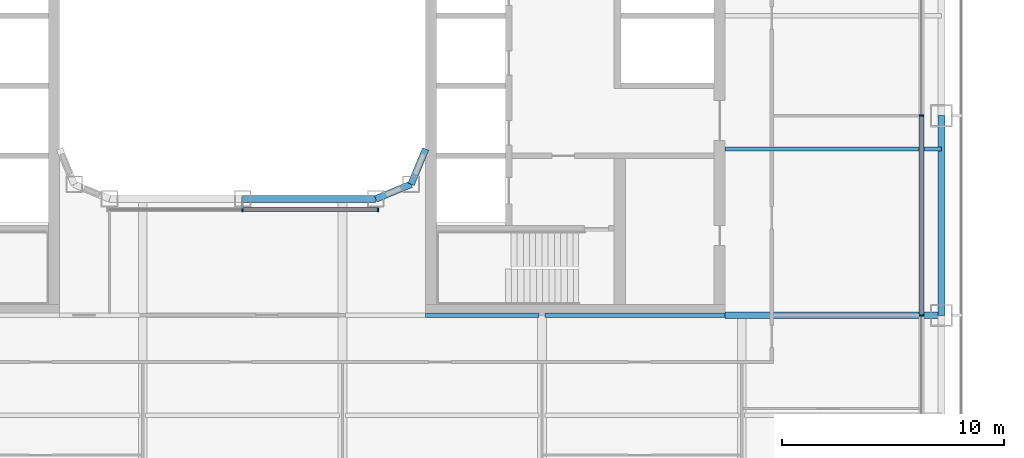
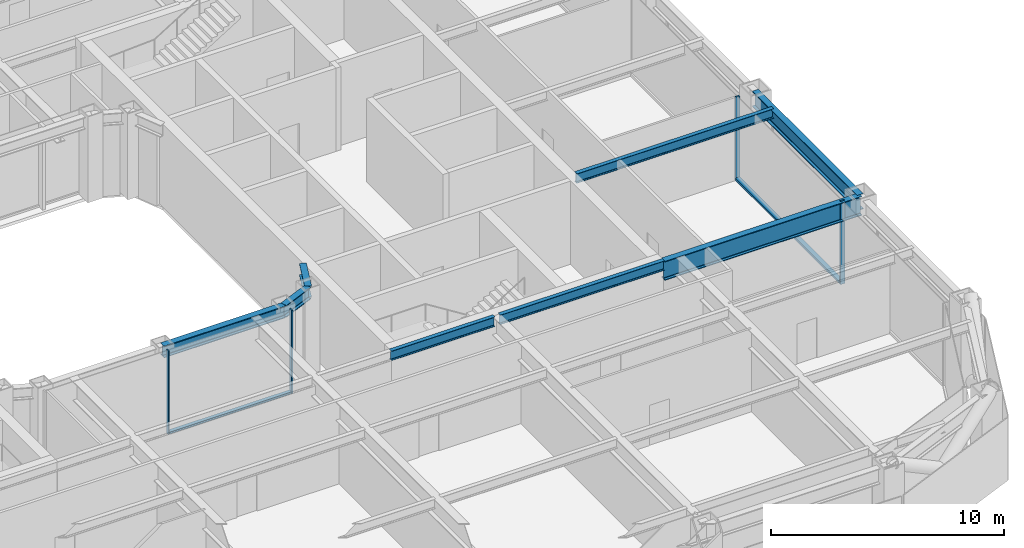
# One storey, part 5 of 30: 8 beams, 6 members, 2 elements without a shape of their own.
"""IFC4 building model written with IfcOpenShell, lengths in metres."""

from ifc_helpers import new_model, si_unit, direction, frame, origin, origin_2d, place, context, subcontext, project, spatial, rectangle, i_section, extrude, material, layer, layer_set, material_profile, profile_set, type_object, element, aggregate, save


model = new_model("IFC4")

# Units and contexts
model_context = context("Model", 3, precision=1e-05, world=origin(), true_north=direction((0.0, 1.0)))
body_context = subcontext(model_context, "Body", "Model", "MODEL_VIEW")
ifc_project = project(units=[si_unit("LENGTHUNIT", "METRE"), si_unit("AREAUNIT", "SQUARE_METRE"), si_unit("VOLUMEUNIT", "CUBIC_METRE"), si_unit("PLANEANGLEUNIT", "RADIAN"), si_unit("MASSUNIT", "GRAM", prefix="KILO")], contexts=[model_context])

# Site, building, storey
site_placement = place(None, origin())
site = spatial("IfcSite", under=ifc_project, at=site_placement, CompositionType="ELEMENT")
building_placement = place(site_placement, origin())
building = spatial("IfcBuilding", under=site, at=building_placement, Name="Siwar Civic Tower", CompositionType="ELEMENT")
storey_placement = place(building_placement, frame((0.0, 0.0, 62.699951171875)))
storey = spatial("IfcBuildingStorey", under=building, at=storey_placement, Name="L13", CompositionType="ELEMENT", Elevation=62.699951171875)

# Curtain wall, members
ifc_material_1 = material(Name="Aluminium and glass", Category="aluminium")
ifc_layer_1 = layer(ifc_material_1, 0.219970703125)
ifc_layer_set_1 = layer_set([ifc_layer_1], Name="Aluminium and glass")
curtain_wall_type_1 = type_object("IfcCurtainWallType", Name="ENV-CW-A", PredefinedType="NOTDEFINED", material=ifc_layer_set_1)
curtain_wall_1_placement = place(storey_placement, origin())
curtain_wall_1 = element("IfcCurtainWall", 1, at=curtain_wall_1_placement, inside=storey, type_object=curtain_wall_type_1, Name="Curtain wall A E", PredefinedType="NOTDEFINED")
ifc_material_2 = material(Name="Aluminium 6063-T6", Category="aluminium")
ifc_material_profile_1 = material_profile(ifc_material_2, rectangle(XDim=0.219970703125, YDim=0.070068359375, at=origin_2d()), Name="AL 220x70")
ifc_profile_set_1 = profile_set([ifc_material_profile_1], Name="Aluminium 6063-T6")
member_type_1 = type_object("IfcMemberType", Name="ENV-MULLION-A", PredefinedType="MULLION", material=ifc_profile_set_1)
member_1_placement = place(storey_placement, frame((30.60009765625, -13.5, 0.0), z_axis=(0.0, 0.0, 1.0), x_axis=(-1.0, 0.0, 0.0)))
member_1 = element("IfcMember", 2, at=member_1_placement, type_object=member_type_1, Name="Mullion A E 2", PredefinedType="MULLION", context=body_context, shape_type="SweptSolid", body=[
    extrude(rectangle(XDim=0.219970703125, YDim=0.070068359375, at=origin_2d()), origin(), (0.0, 0.0, 1.0), 4.35009765625),
])
member_2_placement = place(storey_placement, frame((30.60009765625, -4.5, 0.0), z_axis=(0.0, 0.0, 1.0), x_axis=(-1.0, 0.0, 0.0)))
member_2 = element("IfcMember", 3, at=member_2_placement, type_object=member_type_1, Name="Mullion A E 3", PredefinedType="MULLION", context=body_context, shape_type="SweptSolid", body=[
    extrude(rectangle(XDim=0.219970703125, YDim=0.070068359375, at=origin_2d()), origin(), (0.0, 0.0, 1.0), 4.35009765625),
])

ifc_material_3 = material(Name="Aluminium and glass", Category="aluminium")
ifc_layer_2 = layer(ifc_material_3, 0.179931640625)
ifc_layer_set_2 = layer_set([ifc_layer_2], Name="Aluminium and glass")
curtain_wall_type_2 = type_object("IfcCurtainWallType", Name="ENV-CW-W", PredefinedType="NOTDEFINED", material=ifc_layer_set_2)
curtain_wall_2_placement = place(storey_placement, origin())
curtain_wall_2 = element("IfcCurtainWall", 4, at=curtain_wall_2_placement, inside=storey, type_object=curtain_wall_type_2, Name="Curtain wall W WS", PredefinedType="NOTDEFINED")
ifc_material_4 = material(Name="Aluminium 6063-T6", Category="aluminium")
ifc_material_profile_2 = material_profile(ifc_material_4, rectangle(XDim=0.179931640625, YDim=0.06005859375, at=origin_2d()), Name="AL 180x60")
ifc_profile_set_2 = profile_set([ifc_material_profile_2], Name="Aluminium 6063-T6")
member_type_2 = type_object("IfcMemberType", Name="ENV-MULLION-W", PredefinedType="MULLION", material=ifc_profile_set_2)
member_3_placement = place(storey_placement, frame((0.0, -8.735107421875, 0.0), z_axis=(0.0, 0.0, 1.0), x_axis=(0.0, 1.0, 0.0)))
member_3 = element("IfcMember", 5, at=member_3_placement, type_object=member_type_2, Name="Mullion W WS 2", PredefinedType="MULLION", context=body_context, shape_type="SweptSolid", body=[
    extrude(rectangle(XDim=0.179931640625, YDim=0.06005859375, at=origin_2d()), origin(), (0.0, 0.0, 1.0), 4.35009765625),
])
member_4_placement = place(storey_placement, frame((6.096435546875, -8.735107421875, 0.0), z_axis=(0.0, 0.0, 1.0), x_axis=(0.0, 1.0, 0.0)))
member_4 = element("IfcMember", 6, at=member_4_placement, type_object=member_type_2, Name="Mullion W WS 3", PredefinedType="MULLION", context=body_context, shape_type="SweptSolid", body=[
    extrude(rectangle(XDim=0.179931640625, YDim=0.06005859375, at=origin_2d()), origin(), (0.0, 0.0, 1.0), 4.35009765625),
])

# Member
ifc_material_5 = material(Name="Aluminium 6063-T6", Category="aluminium")
ifc_material_profile_3 = material_profile(ifc_material_5, rectangle(XDim=0.219970703125, YDim=0.1201171875, at=origin_2d()), Name="AL 220x120")
ifc_profile_set_3 = profile_set([ifc_material_profile_3], Name="Aluminium 6063-T6")
member_type_3 = type_object("IfcMemberType", Name="ENV-TRANSOM-A", PredefinedType="USERDEFINED", material=ifc_profile_set_3)
member_5_placement = place(storey_placement, frame((30.60009765625, -13.465087890625, 0.06005859375), z_axis=(0.0, 1.0, 0.0), x_axis=(-1.0, 0.0, 0.0)))
member_5 = element("IfcMember", 7, at=member_5_placement, type_object=member_type_3, Name="Transom A E 2", ObjectType="TRANSOM", PredefinedType="USERDEFINED", context=body_context, shape_type="SweptSolid", body=[
    extrude(rectangle(XDim=0.219970703125, YDim=0.1201171875, at=origin_2d()), origin(), (0.0, 0.0, 1.0), 8.93017578125),
])

aggregate(curtain_wall_1, [member_1, member_2, member_5])

ifc_material_6 = material(Name="Aluminium 6063-T6", Category="aluminium")
ifc_material_profile_4 = material_profile(ifc_material_6, rectangle(XDim=0.179931640625, YDim=0.10009765625, at=origin_2d()), Name="AL 180x100")
ifc_profile_set_4 = profile_set([ifc_material_profile_4], Name="Aluminium 6063-T6")
member_type_4 = type_object("IfcMemberType", Name="ENV-TRANSOM-W", PredefinedType="USERDEFINED", material=ifc_profile_set_4)
member_6_placement = place(storey_placement, frame((0.030029296875, -8.735107421875, 0.050048828125), z_axis=(1.0, 0.0, 0.0), x_axis=(0.0, 1.0, 0.0)))
member_6 = element("IfcMember", 8, at=member_6_placement, type_object=member_type_4, Name="Transom W WS 2", ObjectType="TRANSOM", PredefinedType="USERDEFINED", context=body_context, shape_type="SweptSolid", body=[
    extrude(rectangle(XDim=0.179931640625, YDim=0.10009765625, at=origin_2d()), origin(), (0.0, 0.0, 1.0), 6.036376953125),
])

aggregate(curtain_wall_2, [member_3, member_4, member_6])

# Beams
ifc_material_7 = material(Name="Steel S355", Category="steel")
ifc_material_profile_5 = material_profile(ifc_material_7, i_section(OverallWidth=0.199951171875, OverallDepth=0.5, WebThickness=0.01025390625, FlangeThickness=0.01611328125, FilletRadius=0.02099609375, at=origin_2d()), Name="IPE500")
ifc_profile_set_5 = profile_set([ifc_material_profile_5], Name="Steel S355")
beam_type_1 = type_object("IfcBeamType", Name="STR-FB-IPE500", PredefinedType="JOIST", material=ifc_profile_set_5)
beam_1_placement = place(storey_placement, frame((8.25, -13.5, 4.10009765625), z_axis=(1.0, 0.0, 0.0), x_axis=(0.0, 1.0, 0.0)))
element("IfcBeam", 9, at=beam_1_placement, inside=storey, type_object=beam_type_1, Name="L13/bm/F028", PredefinedType="JOIST", context=body_context, shape_type="SweptSolid", body=[
    extrude(i_section(OverallWidth=0.199951171875, OverallDepth=0.5, WebThickness=0.01025390625, FlangeThickness=0.01611328125, FilletRadius=0.02099609375, at=origin_2d()), origin(), (0.0, 0.0, 1.0), 5.1201171875),
])
beam_2_placement = place(storey_placement, frame((13.6298828125, -13.5, 4.10009765625), z_axis=(1.0, 0.0, 0.0), x_axis=(0.0, 1.0, 0.0)))
element("IfcBeam", 10, at=beam_2_placement, inside=storey, type_object=beam_type_1, Name="L13/bm/F029", PredefinedType="JOIST", context=body_context, shape_type="SweptSolid", body=[
    extrude(i_section(OverallWidth=0.199951171875, OverallDepth=0.5, WebThickness=0.01025390625, FlangeThickness=0.01611328125, FilletRadius=0.02099609375, at=origin_2d()), origin(), (0.0, 0.0, 1.0), 8.1201171875),
])
beam_3_placement = place(storey_placement, frame((21.75, -6.0, 4.10009765625), z_axis=(1.0, 0.0, 0.0), x_axis=(0.0, 1.0, 0.0)))
element("IfcBeam", 11, at=beam_3_placement, inside=storey, type_object=beam_type_1, Name="L13/bm/F032", PredefinedType="JOIST", context=body_context, shape_type="SweptSolid", body=[
    extrude(i_section(OverallWidth=0.199951171875, OverallDepth=0.5, WebThickness=0.01025390625, FlangeThickness=0.01611328125, FilletRadius=0.02099609375, at=origin_2d()), origin(), (0.0, 0.0, 1.0), 9.75),
])
ifc_material_8 = material(Name="Steel S355", Category="steel")
ifc_material_profile_6 = material_profile(ifc_material_8, i_section(OverallWidth=0.300048828125, OverallDepth=1.0, WebThickness=0.01904296875, FlangeThickness=0.035888671875, FilletRadius=0.030029296875, at=origin_2d()), Name="HEB1000")
ifc_profile_set_6 = profile_set([ifc_material_profile_6], Name="Steel S355")
beam_type_2 = type_object("IfcBeamType", Name="STR-PG-HEB1000", PredefinedType="BEAM", material=ifc_profile_set_6)
beam_4_placement = place(storey_placement, frame((21.75, -13.5, 3.85009765625), z_axis=(1.0, 0.0, 0.0), x_axis=(0.0, 1.0, 0.0)))
element("IfcBeam", 12, at=beam_4_placement, inside=storey, type_object=beam_type_2, Name="L13/bm/F030", PredefinedType="BEAM", context=body_context, shape_type="SweptSolid", body=[
    extrude(i_section(OverallWidth=0.300048828125, OverallDepth=1.0, WebThickness=0.01904296875, FlangeThickness=0.035888671875, FilletRadius=0.030029296875, at=origin_2d()), origin(), (0.0, 0.0, 1.0), 9.75),
])
ifc_material_9 = material(Name="Steel S355", Category="steel")
ifc_material_profile_7 = material_profile(ifc_material_9, i_section(OverallWidth=0.304931640625, OverallDepth=0.6201171875, WebThickness=0.02099609375, FlangeThickness=0.0400390625, FilletRadius=0.027099609375, at=origin_2d()), Name="HEM600")
ifc_profile_set_7 = profile_set([ifc_material_profile_7], Name="Steel S355")
beam_type_3 = type_object("IfcBeamType", Name="STR-RB-HEM600", PredefinedType="BEAM", material=ifc_profile_set_7)
beam_5_placement = place(storey_placement, frame((0.0, -8.25, 4.0400390625), z_axis=(1.0, 0.0, 0.0), x_axis=(0.0, 1.0, 0.0)))
element("IfcBeam", 13, at=beam_5_placement, inside=storey, type_object=beam_type_3, Name="L13/bm/RS2", PredefinedType="BEAM", context=body_context, shape_type="SweptSolid", body=[
    extrude(i_section(OverallWidth=0.304931640625, OverallDepth=0.6201171875, WebThickness=0.02099609375, FlangeThickness=0.0400390625, FilletRadius=0.027099609375, at=origin_2d()), origin(), (0.0, 0.0, 1.0), 6.0),
])
for number, where, z_axis, x_axis, name in (
    (14, (6.0, -8.25, 4.0400390625), (0.923901072997, 0.382631424892, 0.0), (-0.382631424892, 0.923901072997, 0.0), "L13/bm/RS3"),
    (15, (7.591064453125, -7.591064453125, 4.0400390625), (0.382631424892, 0.923901072997, 0.0), (-0.923901072997, 0.382631424892, 0.0), "L13/bm/RSEE"),
):
    element("IfcBeam", number, at=place(storey_placement, frame(where, z_axis=z_axis, x_axis=x_axis)), inside=storey, type_object=beam_type_3, Name=name, PredefinedType="BEAM", context=body_context, shape_type="SweptSolid", body=[
        extrude(i_section(OverallWidth=0.304931640625, OverallDepth=0.6201171875, WebThickness=0.02099609375, FlangeThickness=0.0400390625, FilletRadius=0.027099609375, at=origin_2d()), origin(), (0.0, 0.0, 1.0), 1.72216796875),
    ])
ifc_material_10 = material(Name="Steel S355", Category="steel")
ifc_material_profile_8 = material_profile(ifc_material_10, i_section(OverallWidth=0.302978515625, OverallDepth=0.81396484375, WebThickness=0.02099609375, FlangeThickness=0.0400390625, FilletRadius=0.030029296875, at=origin_2d()), Name="HEM800")
ifc_profile_set_8 = profile_set([ifc_material_profile_8], Name="Steel S355")
beam_type_4 = type_object("IfcBeamType", Name="STR-SB-HEM800", PredefinedType="BEAM", material=ifc_profile_set_8)
beam_6_placement = place(storey_placement, frame((31.5, -13.5, 3.943115234375), z_axis=(0.0, 1.0, 0.0), x_axis=(-1.0, 0.0, 0.0)))
element("IfcBeam", 16, at=beam_6_placement, inside=storey, type_object=beam_type_4, Name="L13/bm/SE-1", PredefinedType="BEAM", context=body_context, shape_type="SweptSolid", body=[
    extrude(i_section(OverallWidth=0.302978515625, OverallDepth=0.81396484375, WebThickness=0.02099609375, FlangeThickness=0.0400390625, FilletRadius=0.030029296875, at=origin_2d()), origin(), (0.0, 0.0, 1.0), 9.0),
])

save(model, "model.ifc")
